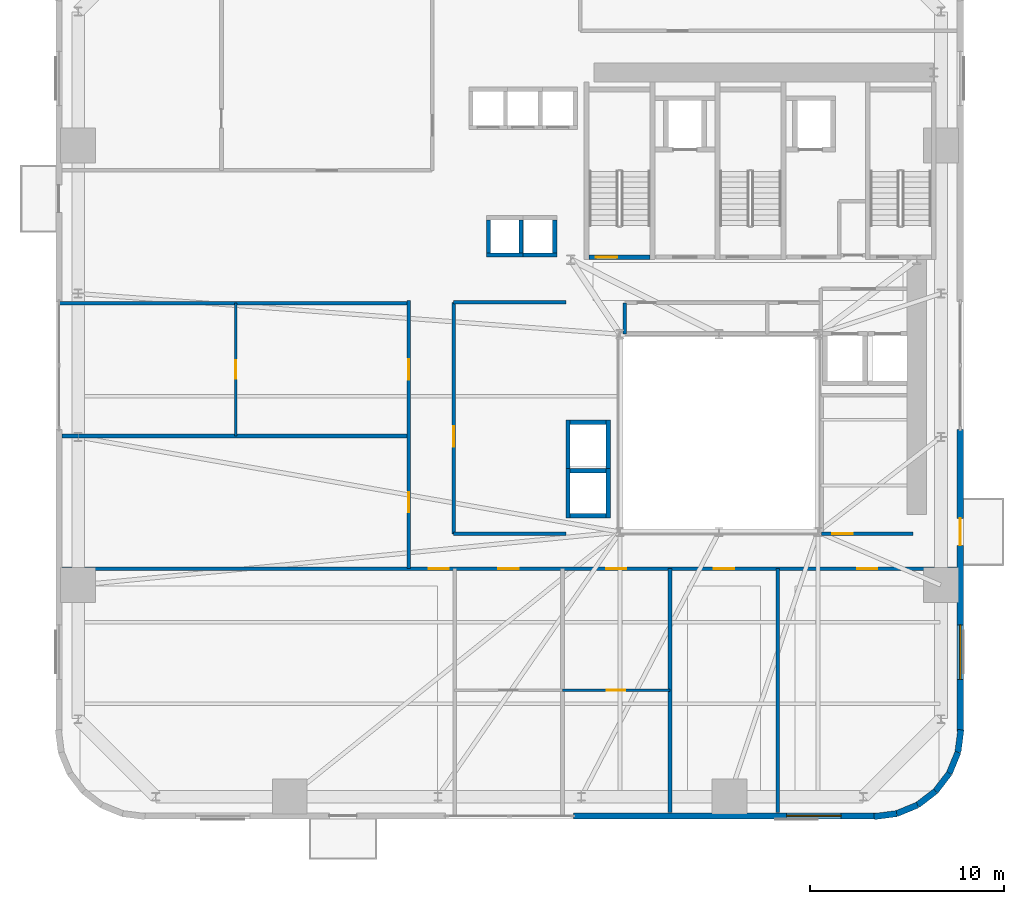
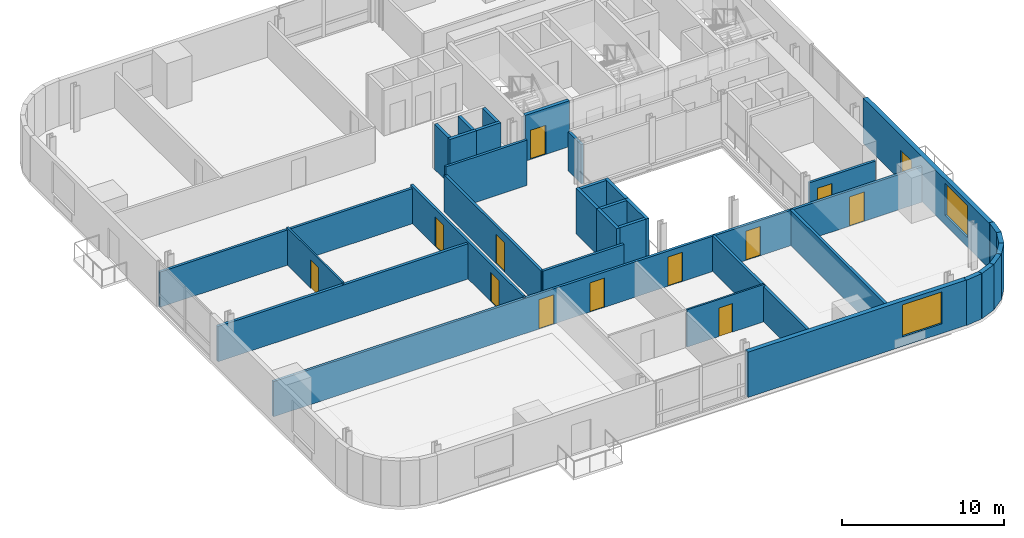
# One storey, part 6 of 13: 34 walls, 13 doors, 2 windows, 15 openings.
"""IFC4 building model written with IfcOpenShell, lengths in metres."""

from ifc_helpers import new_model, si_unit, direction, frame, frame_2d, origin, place, context, subcontext, project, spatial, rectangle, extrude, source, transform, mapped, material, layer, layer_set, type_object, element, fill, save


model = new_model("IFC4")

# Units and contexts
model_context = context("Model", 3, precision=1e-05, world=origin(), true_north=direction((0.0, 1.0)))
body_context = subcontext(model_context, "Body", "Model", "MODEL_VIEW")
ifc_project = project(units=[si_unit("LENGTHUNIT", "METRE"), si_unit("AREAUNIT", "SQUARE_METRE"), si_unit("VOLUMEUNIT", "CUBIC_METRE"), si_unit("PLANEANGLEUNIT", "RADIAN"), si_unit("MASSUNIT", "GRAM", prefix="KILO")], contexts=[model_context])

# Site, building, storey
site_placement = place(None, origin())
site = spatial("IfcSite", under=ifc_project, at=site_placement, CompositionType="ELEMENT")
building_placement = place(site_placement, origin())
building = spatial("IfcBuilding", under=site, at=building_placement, Name="Vardaveli Station Tower", CompositionType="ELEMENT")
storey_placement = place(building_placement, frame((0.0, 0.0, 71.39990234375)))
storey = spatial("IfcBuildingStorey", under=building, at=storey_placement, Name="L18", CompositionType="ELEMENT", Elevation=71.39990234375)

# Wall, opening, window
ifc_material_1 = material(Name="Precast concrete C45/55", Category="concrete")
ifc_layer_1 = layer(ifc_material_1, 0.320068359375, Name="Precast concrete C45/55")
ifc_layer_set_1 = layer_set([ifc_layer_1], Name="Precast concrete C45/55")
wall_type_1 = type_object("IfcWallType", Name="WAL-EXT-STONE-320", PredefinedType="SOLIDWALL", material=ifc_layer_set_1)
shared_shape_1 = source(origin(), body_context, "Body", "SweptSolid", [
    extrude(rectangle(XDim=15.599853515625, YDim=0.320068359375, at=frame_2d((7.7998046875, 0.0))), origin(), (0.0, 0.0, 1.0), 3.41015625),
])
wall_1_placement = place(storey_placement, frame((28.800048828125, 1.9599609375, 0.0), z_axis=(0.0, 0.0, 1.0), x_axis=(1.0, 0.0, 0.0)))
wall_1 = element("IfcWall", 1, at=wall_1_placement, inside=storey, type_object=wall_type_1, Name="EW-L18-S2", PredefinedType="SOLIDWALL", context=body_context, shape_type="MappedRepresentation", body=[
    mapped(shared_shape_1, transform((0.0, 0.0, 0.0), scale=1.0)),
])
shared_shape_2 = source(origin(), body_context, "Body", "SweptSolid", [
    extrude(rectangle(XDim=2.800048828125, YDim=2.39990234375, at=frame_2d((1.39990234375, 1.199951171875))), frame((0.0, 0.169921875, 0.0), z_axis=(0.0, -1.0, 0.0), x_axis=(1.0, 0.0, 0.0)), (0.0, 0.0, 1.0), 0.340087890625),
])
opening_1_placement = place(wall_1_placement, frame((10.9951171875, 0.0, 0.719970703125)))
opening_1 = element("IfcOpeningElement", 2, at=opening_1_placement, cuts=wall_1, Name="Opening W-04", PredefinedType="OPENING", context=body_context, shape_type="MappedRepresentation", body=[
    mapped(shared_shape_2, transform((0.0, 0.0, 0.0), scale=1.0)),
])
ifc_material_2 = material(Name="Low-E solar-control glass", Category="glass")
window_type = type_object("IfcWindowType", Name="WIN-SUITE-2800x2400", PartitioningType="SINGLE_PANEL", PredefinedType="WINDOW", material=ifc_material_2)
shared_shape_3 = source(origin(), body_context, "Body", "SweptSolid", [
    extrude(rectangle(XDim=2.800048828125, YDim=2.39990234375, at=frame_2d((1.39990234375, 1.199951171875))), frame((0.0, 0.030029296875, 0.0), z_axis=(0.0, -1.0, 0.0), x_axis=(1.0, 0.0, 0.0)), (0.0, 0.0, 1.0), 0.06005859375),
])
window_1_placement = place(opening_1_placement, origin())
window_1 = element("IfcWindow", 3, at=window_1_placement, inside=storey, type_object=window_type, Name="WN-L18-S2", OverallHeight=2.39990234375, OverallWidth=2.800048828125, PartitioningType="SINGLE_PANEL", PredefinedType="WINDOW", context=body_context, shape_type="MappedRepresentation", body=[
    mapped(shared_shape_3, transform((0.0, 0.0, 0.0), scale=1.0)),
])
fill(opening_1, window_1)

# Wall, openings, door, window
wall_2_placement = place(storey_placement, frame((48.739990234375, 6.300048828125, 0.0), z_axis=(0.0, 0.0, 1.0), x_axis=(0.0, 1.0, 0.0)))
wall_2 = element("IfcWall", 4, at=wall_2_placement, inside=storey, type_object=wall_type_1, Name="EW-L18-E1", PredefinedType="SOLIDWALL", context=body_context, shape_type="MappedRepresentation", body=[
    mapped(shared_shape_1, transform((0.0, 0.0, 0.0), scale=1.0)),
])
shared_shape_4 = source(origin(), body_context, "Body", "SweptSolid", [
    extrude(rectangle(XDim=1.39990234375, YDim=2.300048828125, at=frame_2d((0.699951171875, 1.14990234375))), frame((0.0, 0.169921875, 0.0), z_axis=(0.0, -1.0, 0.0), x_axis=(1.0, 0.0, 0.0)), (0.0, 0.0, 1.0), 0.340087890625),
])
opening_2_placement = place(wall_2_placement, frame((9.6103515625, 0.0, 0.0)))
opening_2 = element("IfcOpeningElement", 5, at=opening_2_placement, cuts=wall_2, Name="Opening D-09", PredefinedType="OPENING", context=body_context, shape_type="MappedRepresentation", body=[
    mapped(shared_shape_4, transform((0.0, 0.0, 0.0), scale=1.0)),
])
opening_3_placement = place(wall_2_placement, frame((2.705078125, 0.0, 0.719970703125)))
opening_3 = element("IfcOpeningElement", 6, at=opening_3_placement, cuts=wall_2, Name="Opening W-04", PredefinedType="OPENING", context=body_context, shape_type="MappedRepresentation", body=[
    mapped(shared_shape_2, transform((0.0, 0.0, 0.0), scale=1.0)),
])
ifc_material_3 = material(Name="Thermally broken aluminium glass", Category="aluminium")
door_type_1 = type_object("IfcDoorType", Name="DR-LOG-1400x2300", OperationType="DOUBLE_DOOR_SLIDING", PredefinedType="DOOR", material=ifc_material_3)
shared_shape_5 = source(origin(), body_context, "Body", "SweptSolid", [
    extrude(rectangle(XDim=1.39990234375, YDim=2.300048828125, at=frame_2d((0.699951171875, 1.14990234375))), frame((0.0, 0.02490234375, 0.0), z_axis=(0.0, -1.0, 0.0), x_axis=(1.0, 0.0, 0.0)), (0.0, 0.0, 1.0), 0.050048828125),
])
door_1_placement = place(opening_2_placement, frame((1.39990234375, 0.0, 0.0), z_axis=(0.0, 0.0, 1.0), x_axis=(-1.0, 0.0, 0.0)))
door_1 = element("IfcDoor", 7, at=door_1_placement, inside=storey, type_object=door_type_1, Name="DLG-L18-E", OperationType="DOUBLE_DOOR_SLIDING", OverallHeight=2.300048828125, OverallWidth=1.39990234375, PredefinedType="DOOR", context=body_context, shape_type="MappedRepresentation", body=[
    mapped(shared_shape_5, transform((0.0, 0.0, 0.0), scale=1.0)),
])
fill(opening_2, door_1)
window_2_placement = place(opening_3_placement, origin())
window_2 = element("IfcWindow", 8, at=window_2_placement, inside=storey, type_object=window_type, Name="WN-L18-E1", OverallHeight=2.39990234375, OverallWidth=2.800048828125, PartitioningType="SINGLE_PANEL", PredefinedType="WINDOW", context=body_context, shape_type="MappedRepresentation", body=[
    mapped(shared_shape_3, transform((0.0, 0.0, 0.0), scale=1.0)),
])
fill(opening_3, window_2)

# Walls
shared_shape_6 = source(origin(), body_context, "Body", "SweptSolid", [
    extrude(rectangle(XDim=1.170654296875, YDim=0.320068359375, at=frame_2d((0.58544921875, 0.0))), origin(), (0.0, 0.0, 1.0), 3.41015625),
])
wall_3_placement = place(storey_placement, frame((48.62548828125, 5.23974609375, 0.0), z_axis=(0.0, 0.0, 1.0), x_axis=(0.128269133229, 0.991739395941, 0.0)))
element("IfcWall", 9, at=wall_3_placement, inside=storey, type_object=wall_type_1, Name="EW-L18-CR2-6", PredefinedType="SOLIDWALL", context=body_context, shape_type="MappedRepresentation", body=[
    mapped(shared_shape_6, transform((0.0, 0.0, 0.0), scale=1.0)),
])
shared_shape_7 = source(origin(), body_context, "Body", "SweptSolid", [
    extrude(rectangle(XDim=1.1689453125, YDim=0.320068359375, at=frame_2d((0.58447265625, 0.0))), origin(), (0.0, 0.0, 1.0), 3.41015625),
])
for number, where, z_axis, x_axis, name in (
    (10, (47.46875, 3.231201171875, 0.0), (0.0, 0.0, 1.0), (0.608387696831, 0.793639975269, 0.0), "EW-L18-CR2-4"),
    (11, (48.179931640625, 4.158935546875, 0.0), (0.0, 0.0, 1.0), (0.381127904695, 0.924522320046, 0.0), "EW-L18-CR2-5"),
):
    element("IfcWall", number, at=place(storey_placement, frame(where, z_axis=z_axis, x_axis=x_axis)), inside=storey, type_object=wall_type_1, Name=name, PredefinedType="SOLIDWALL", context=body_context, shape_type="MappedRepresentation", body=[
        mapped(shared_shape_7, transform((0.0, 0.0, 0.0), scale=1.0)),
    ])
shared_shape_8 = source(origin(), body_context, "Body", "SweptSolid", [
    extrude(rectangle(XDim=1.168701171875, YDim=0.320068359375, at=frame_2d((0.58447265625, 0.0))), origin(), (0.0, 0.0, 1.0), 3.41015625),
])
wall_4_placement = place(storey_placement, frame((46.541259765625, 2.520263671875, 0.0), z_axis=(0.0, 0.0, 1.0), x_axis=(0.793663520347, 0.608356981114, 0.0)))
element("IfcWall", 12, at=wall_4_placement, inside=storey, type_object=wall_type_1, Name="EW-L18-CR2-3", PredefinedType="SOLIDWALL", context=body_context, shape_type="MappedRepresentation", body=[
    mapped(shared_shape_8, transform((0.0, 0.0, 0.0), scale=1.0)),
])
shared_shape_9 = source(origin(), body_context, "Body", "SweptSolid", [
    extrude(rectangle(XDim=1.16943359375, YDim=0.320068359375, at=frame_2d((0.584716796875, 0.0))), origin(), (0.0, 0.0, 1.0), 3.41015625),
])
wall_5_placement = place(storey_placement, frame((45.460205078125, 2.074462890625, 0.0), z_axis=(0.0, 0.0, 1.0), x_axis=(0.924479075121, 0.381232789334, 0.0)))
element("IfcWall", 13, at=wall_5_placement, inside=storey, type_object=wall_type_1, Name="EW-L18-CR2-2", PredefinedType="SOLIDWALL", context=body_context, shape_type="MappedRepresentation", body=[
    mapped(shared_shape_9, transform((0.0, 0.0, 0.0), scale=1.0)),
])
shared_shape_10 = source(origin(), body_context, "Body", "SweptSolid", [
    extrude(rectangle(XDim=1.170166015625, YDim=0.320068359375, at=frame_2d((0.5849609375, 0.0))), origin(), (0.0, 0.0, 1.0), 3.41015625),
])
wall_6_placement = place(storey_placement, frame((44.299560546875, 1.924560546875, 0.0), z_axis=(0.0, 0.0, 1.0), x_axis=(0.991762485493, 0.128090485085, 0.0)))
element("IfcWall", 14, at=wall_6_placement, inside=storey, type_object=wall_type_1, Name="EW-L18-CR2-1", PredefinedType="SOLIDWALL", context=body_context, shape_type="MappedRepresentation", body=[
    mapped(shared_shape_10, transform((0.0, 0.0, 0.0), scale=1.0)),
])

# Wall, opening, door
ifc_material_4 = material(Name="Concrete C40/50", Category="concrete")
ifc_layer_2 = layer(ifc_material_4, 0.25, Name="Concrete C40/50")
ifc_layer_set_2 = layer_set([ifc_layer_2], Name="Concrete C40/50")
wall_type_2 = type_object("IfcWallType", Name="WAL-SHAFT-250", PredefinedType="SOLIDWALL", material=ifc_layer_set_2)
shared_shape_11 = source(origin(), body_context, "Body", "SweptSolid", [
    extrude(rectangle(XDim=3.14990234375, YDim=0.25, at=frame_2d((1.574951171875, 0.0))), origin(), (0.0, 0.0, 1.0), 3.4501953125),
])
wall_7_placement = place(storey_placement, frame((29.60009765625, 30.77490234375, 0.0), z_axis=(0.0, 0.0, 1.0), x_axis=(1.0, 0.0, 0.0)))
wall_7 = element("IfcWall", 15, at=wall_7_placement, inside=storey, type_object=wall_type_2, Name="W-L18-ST-1S", PredefinedType="SOLIDWALL", context=body_context, shape_type="MappedRepresentation", body=[
    mapped(shared_shape_11, transform((0.0, 0.0, 0.0), scale=1.0)),
])
shared_shape_12 = source(origin(), body_context, "Body", "SweptSolid", [
    extrude(rectangle(XDim=1.10009765625, YDim=2.199951171875, at=frame_2d((0.550048828125, 1.10009765625))), frame((0.0, 0.135009765625, 0.0), z_axis=(0.0, -1.0, 0.0), x_axis=(1.0, 0.0, 0.0)), (0.0, 0.0, 1.0), 0.27001953125),
])
opening_4_placement = place(wall_7_placement, frame((0.35009765625, 0.0, 0.0)))
opening_4 = element("IfcOpeningElement", 16, at=opening_4_placement, cuts=wall_7, Name="Opening D-04", PredefinedType="OPENING", context=body_context, shape_type="MappedRepresentation", body=[
    mapped(shared_shape_12, transform((0.0, 0.0, 0.0), scale=1.0)),
])
ifc_material_5 = material(Name="Steel smokeproof fire doorset", Category="steel")
door_type_2 = type_object("IfcDoorType", Name="DR-ST-1100x2200", OperationType="NOTDEFINED", PredefinedType="DOOR", material=ifc_material_5)
shared_shape_13 = source(origin(), body_context, "Body", "SweptSolid", [
    extrude(rectangle(XDim=1.10009765625, YDim=2.199951171875, at=frame_2d((0.550048828125, 1.10009765625))), frame((0.0, 0.02490234375, 0.0), z_axis=(0.0, -1.0, 0.0), x_axis=(1.0, 0.0, 0.0)), (0.0, 0.0, 1.0), 0.050048828125),
])
door_2_placement = place(opening_4_placement, origin())
door_2 = element("IfcDoor", 17, at=door_2_placement, inside=storey, type_object=door_type_2, Name="DST-1-L18", OperationType="SINGLE_SWING_LEFT", OverallHeight=2.199951171875, OverallWidth=1.10009765625, PredefinedType="DOOR", context=body_context, shape_type="MappedRepresentation", body=[
    mapped(shared_shape_13, transform((0.0, 0.0, 0.0), scale=1.0)),
])
fill(opening_4, door_2)

# Walls
ifc_layer_3 = layer(ifc_material_4, 0.219970703125, Name="Concrete C40/50")
ifc_layer_set_3 = layer_set([ifc_layer_3], Name="Concrete C40/50")
wall_type_3 = type_object("IfcWallType", Name="WAL-FFLOBBY-220", PredefinedType="SOLIDWALL", material=ifc_layer_set_3)
shared_shape_14 = source(origin(), body_context, "Body", "SweptSolid", [
    extrude(rectangle(XDim=1.89013671875, YDim=0.219970703125, at=frame_2d((0.945068359375, 0.0))), origin(), (0.0, 0.0, 1.0), 3.41015625),
])
for number, where, z_axis, x_axis, name in (
    (18, (24.304931640625, 30.889892578125, 0.0), (0.0, 0.0, 1.0), (1.0, 0.0, 0.0), "SHW-SHU-01-L18-S"),
    (19, (26.054931640625, 30.889892578125, 0.0), (0.0, 0.0, 1.0), (1.0, 0.0, 0.0), "SHW-SHU-02-L18-S"),
):
    element("IfcWall", number, at=place(storey_placement, frame(where, z_axis=z_axis, x_axis=x_axis)), inside=storey, type_object=wall_type_3, Name=name, PredefinedType="SOLIDWALL", context=body_context, shape_type="MappedRepresentation", body=[
        mapped(shared_shape_14, transform((0.0, 0.0, 0.0), scale=1.0)),
    ])
shared_shape_15 = source(origin(), body_context, "Body", "SweptSolid", [
    extrude(rectangle(XDim=1.699951171875, YDim=0.219970703125, at=frame_2d((0.85009765625, 0.0))), origin(), (0.0, 0.0, 1.0), 3.41015625),
])
for number, where, z_axis, x_axis, name in (
    (20, (24.4150390625, 31.0, 0.0), (0.0, 0.0, 1.0), (0.0, 1.0, 0.0), "SHW-SHU-01-L18-W"),
    (21, (26.0849609375, 31.0, 0.0), (0.0, 0.0, 1.0), (0.0, 1.0, 0.0), "SHW-SHU-01-L18-E"),
    (22, (27.8349609375, 31.0, 0.0), (0.0, 0.0, 1.0), (0.0, 1.0, 0.0), "SHW-SHU-02-L18-E"),
):
    element("IfcWall", number, at=place(storey_placement, frame(where, z_axis=z_axis, x_axis=x_axis)), inside=storey, type_object=wall_type_3, Name=name, PredefinedType="SOLIDWALL", context=body_context, shape_type="MappedRepresentation", body=[
        mapped(shared_shape_15, transform((0.0, 0.0, 0.0), scale=1.0)),
    ])
shared_shape_16 = source(origin(), body_context, "Body", "SweptSolid", [
    extrude(rectangle(XDim=1.85009765625, YDim=0.219970703125, at=frame_2d((0.925048828125, 0.0))), origin(), (0.0, 0.0, 1.0), 3.41015625),
])
for number, where, z_axis, x_axis, name in (
    (23, (28.625, 17.43994140625, 0.0), (0.0, 0.0, 1.0), (1.0, 0.0, 0.0), "SHW-OBS-01-L18-S"),
    (24, (28.625, 19.760009765625, 0.0), (0.0, 0.0, 1.0), (1.0, 0.0, 0.0), "SHW-OBS-01-L18-N"),
    (25, (28.625, 22.260009765625, 0.0), (0.0, 0.0, 1.0), (1.0, 0.0, 0.0), "SHW-OBS-02-L18-N"),
):
    element("IfcWall", number, at=place(storey_placement, frame(where, z_axis=z_axis, x_axis=x_axis)), inside=storey, type_object=wall_type_3, Name=name, PredefinedType="SOLIDWALL", context=body_context, shape_type="MappedRepresentation", body=[
        mapped(shared_shape_16, transform((0.0, 0.0, 0.0), scale=1.0)),
    ])
shared_shape_17 = source(origin(), body_context, "Body", "SweptSolid", [
    extrude(rectangle(XDim=2.5400390625, YDim=0.219970703125, at=frame_2d((1.27001953125, 0.0))), origin(), (0.0, 0.0, 1.0), 3.41015625),
])
for number, where, z_axis, x_axis, name in (
    (26, (28.514892578125, 17.330078125, 0.0), (0.0, 0.0, 1.0), (0.0, 1.0, 0.0), "SHW-OBS-01-L18-W"),
    (27, (30.5849609375, 17.330078125, 0.0), (0.0, 0.0, 1.0), (0.0, 1.0, 0.0), "SHW-OBS-01-L18-E"),
    (28, (28.514892578125, 19.830078125, 0.0), (0.0, 0.0, 1.0), (0.0, 1.0, 0.0), "SHW-OBS-02-L18-W"),
    (29, (30.5849609375, 19.830078125, 0.0), (0.0, 0.0, 1.0), (0.0, 1.0, 0.0), "SHW-OBS-02-L18-E"),
):
    element("IfcWall", number, at=place(storey_placement, frame(where, z_axis=z_axis, x_axis=x_axis)), inside=storey, type_object=wall_type_3, Name=name, PredefinedType="SOLIDWALL", context=body_context, shape_type="MappedRepresentation", body=[
        mapped(shared_shape_17, transform((0.0, 0.0, 0.0), scale=1.0)),
    ])

# Wall, opening, door
ifc_material_6 = material(Name="Fire-rated gypsum stud partition")
ifc_layer_4 = layer(ifc_material_6, 0.179931640625, Name="Fire-rated gypsum stud partition")
ifc_layer_set_4 = layer_set([ifc_layer_4], Name="Fire-rated gypsum stud partition")
wall_type_4 = type_object("IfcWallType", Name="WAL-CORR-180", PredefinedType="PARTITIONING", material=ifc_layer_set_4)
shared_shape_18 = source(origin(), body_context, "Body", "SweptSolid", [
    extrude(rectangle(XDim=11.93994140625, YDim=0.179931640625, at=frame_2d((5.969970703125, 0.0))), origin(), (0.0, 0.0, 1.0), 2.802001953125),
])
wall_8_placement = place(storey_placement, frame((22.6201171875, 16.5, 0.0), z_axis=(0.0, 0.0, 1.0), x_axis=(0.0, 1.0, 0.0)))
wall_8 = element("IfcWall", 30, at=wall_8_placement, inside=storey, type_object=wall_type_4, Name="W-L18-ATW-W", PredefinedType="PARTITIONING", context=body_context, shape_type="MappedRepresentation", body=[
    mapped(shared_shape_18, transform((0.0, 0.0, 0.0), scale=1.0)),
])
shared_shape_19 = source(origin(), body_context, "Body", "SweptSolid", [
    extrude(rectangle(XDim=1.050048828125, YDim=2.199951171875, at=frame_2d((0.52490234375, 1.10009765625))), frame((0.0, 0.10009765625, 0.0), z_axis=(0.0, -1.0, 0.0), x_axis=(1.0, 0.0, 0.0)), (0.0, 0.0, 1.0), 0.199951171875),
])
opening_5_placement = place(wall_8_placement, frame((4.5, 0.0, 0.0)))
opening_5 = element("IfcOpeningElement", 31, at=opening_5_placement, cuts=wall_8, Name="Opening D-05", PredefinedType="OPENING", context=body_context, shape_type="MappedRepresentation", body=[
    mapped(shared_shape_19, transform((0.0, 0.0, 0.0), scale=1.0)),
])
ifc_material_7 = material(Name="Walnut veneer acoustic fire door")
door_type_3 = type_object("IfcDoorType", Name="DR-SUITE-1050x2200", OperationType="NOTDEFINED", PredefinedType="DOOR", material=ifc_material_7)
shared_shape_20 = source(origin(), body_context, "Body", "SweptSolid", [
    extrude(rectangle(XDim=1.050048828125, YDim=2.199951171875, at=frame_2d((0.52490234375, 1.10009765625))), frame((0.0, 0.02490234375, 0.0), z_axis=(0.0, -1.0, 0.0), x_axis=(1.0, 0.0, 0.0)), (0.0, 0.0, 1.0), 0.050048828125),
])
door_3_placement = place(opening_5_placement, origin())
door_3 = element("IfcDoor", 32, at=door_3_placement, inside=storey, type_object=door_type_3, Name="D-L18-ATW1", OperationType="SINGLE_SWING_LEFT", OverallHeight=2.199951171875, OverallWidth=1.050048828125, PredefinedType="DOOR", context=body_context, shape_type="MappedRepresentation", body=[
    mapped(shared_shape_20, transform((0.0, 0.0, 0.0), scale=1.0)),
])
fill(opening_5, door_3)

shared_shape_21 = source(origin(), body_context, "Body", "SweptSolid", [
    extrude(rectangle(XDim=4.699951171875, YDim=0.179931640625, at=frame_2d((2.35009765625, 0.0))), origin(), (0.0, 0.0, 1.0), 2.802001953125),
])
wall_9_placement = place(storey_placement, frame((41.60009765625, 16.5, 0.0), z_axis=(0.0, 0.0, 1.0), x_axis=(1.0, 0.0, 0.0)))
wall_9 = element("IfcWall", 33, at=wall_9_placement, inside=storey, type_object=wall_type_4, Name="W-L18-ATE-S", PredefinedType="PARTITIONING", context=body_context, shape_type="MappedRepresentation", body=[
    mapped(shared_shape_21, transform((0.0, 0.0, 0.0), scale=1.0)),
])
opening_6_placement = place(wall_9_placement, frame((0.550048828125, 0.0, 0.0)))
opening_6 = element("IfcOpeningElement", 34, at=opening_6_placement, cuts=wall_9, Name="Opening D-05", PredefinedType="OPENING", context=body_context, shape_type="MappedRepresentation", body=[
    mapped(shared_shape_19, transform((0.0, 0.0, 0.0), scale=1.0)),
])
door_4_placement = place(opening_6_placement, origin())
door_4 = element("IfcDoor", 35, at=door_4_placement, inside=storey, type_object=door_type_3, Name="D-L18-ATE1", OperationType="SINGLE_SWING_RIGHT", OverallHeight=2.199951171875, OverallWidth=1.050048828125, PredefinedType="DOOR", context=body_context, shape_type="MappedRepresentation", body=[
    mapped(shared_shape_20, transform((0.0, 0.0, 0.0), scale=1.0)),
])
fill(opening_6, door_4)

# Wall, openings, doors
shared_shape_22 = source(origin(), body_context, "Body", "SweptSolid", [
    extrude(rectangle(XDim=46.15576171875, YDim=0.179931640625, at=frame_2d((23.077880859375, 0.0))), origin(), (0.0, 0.0, 1.0), 2.652099609375),
])
wall_10_placement = place(storey_placement, frame((2.422119140625, 14.7099609375, 0.0), z_axis=(0.0, 0.0, 1.0), x_axis=(1.0, 0.0, 0.0)))
wall_10 = element("IfcWall", 36, at=wall_10_placement, inside=storey, type_object=wall_type_4, Name="W-L18-CS", PredefinedType="PARTITIONING", context=body_context, shape_type="MappedRepresentation", body=[
    mapped(shared_shape_22, transform((0.0, 0.0, 0.0), scale=1.0)),
])
opening_7_placement = place(wall_10_placement, frame((18.89794921875, 0.0, 0.0)))
opening_7 = element("IfcOpeningElement", 37, at=opening_7_placement, cuts=wall_10, Name="Opening D-05", PredefinedType="OPENING", context=body_context, shape_type="MappedRepresentation", body=[
    mapped(shared_shape_19, transform((0.0, 0.0, 0.0), scale=1.0)),
])
opening_8_placement = place(wall_10_placement, frame((22.504638671875, 0.0, 0.0)))
opening_8 = element("IfcOpeningElement", 38, at=opening_8_placement, cuts=wall_10, Name="Opening D-05", PredefinedType="OPENING", context=body_context, shape_type="MappedRepresentation", body=[
    mapped(shared_shape_19, transform((0.0, 0.0, 0.0), scale=1.0)),
])
opening_9_placement = place(wall_10_placement, frame((28.05810546875, 0.0, 0.0)))
opening_9 = element("IfcOpeningElement", 39, at=opening_9_placement, cuts=wall_10, Name="Opening D-05", PredefinedType="OPENING", context=body_context, shape_type="MappedRepresentation", body=[
    mapped(shared_shape_19, transform((0.0, 0.0, 0.0), scale=1.0)),
])
opening_10_placement = place(wall_10_placement, frame((33.611328125, 0.0, 0.0)))
opening_10 = element("IfcOpeningElement", 40, at=opening_10_placement, cuts=wall_10, Name="Opening D-05", PredefinedType="OPENING", context=body_context, shape_type="MappedRepresentation", body=[
    mapped(shared_shape_19, transform((0.0, 0.0, 0.0), scale=1.0)),
])
opening_11_placement = place(wall_10_placement, frame((40.998046875, 0.0, 0.0)))
opening_11 = element("IfcOpeningElement", 41, at=opening_11_placement, cuts=wall_10, Name="Opening D-05", PredefinedType="OPENING", context=body_context, shape_type="MappedRepresentation", body=[
    mapped(shared_shape_19, transform((0.0, 0.0, 0.0), scale=1.0)),
])
door_5_placement = place(opening_7_placement, origin())
door_5 = element("IfcDoor", 42, at=door_5_placement, inside=storey, type_object=door_type_3, Name="D-L18-SA1", OperationType="SINGLE_SWING_RIGHT", OverallHeight=2.199951171875, OverallWidth=1.050048828125, PredefinedType="DOOR", context=body_context, shape_type="MappedRepresentation", body=[
    mapped(shared_shape_20, transform((0.0, 0.0, 0.0), scale=1.0)),
])
fill(opening_7, door_5)
door_6_placement = place(opening_8_placement, origin())
door_6 = element("IfcDoor", 43, at=door_6_placement, inside=storey, type_object=door_type_3, Name="D-L18-SCB2", OperationType="SINGLE_SWING_LEFT", OverallHeight=2.199951171875, OverallWidth=1.050048828125, PredefinedType="DOOR", context=body_context, shape_type="MappedRepresentation", body=[
    mapped(shared_shape_20, transform((0.0, 0.0, 0.0), scale=1.0)),
])
fill(opening_8, door_6)
door_7_placement = place(opening_9_placement, origin())
door_7 = element("IfcDoor", 44, at=door_7_placement, inside=storey, type_object=door_type_3, Name="D-L18-SCB3", OperationType="SINGLE_SWING_RIGHT", OverallHeight=2.199951171875, OverallWidth=1.050048828125, PredefinedType="DOOR", context=body_context, shape_type="MappedRepresentation", body=[
    mapped(shared_shape_20, transform((0.0, 0.0, 0.0), scale=1.0)),
])
fill(opening_9, door_7)
door_8_placement = place(opening_10_placement, origin())
door_8 = element("IfcDoor", 45, at=door_8_placement, inside=storey, type_object=door_type_3, Name="D-L18-SA4", OperationType="SINGLE_SWING_LEFT", OverallHeight=2.199951171875, OverallWidth=1.050048828125, PredefinedType="DOOR", context=body_context, shape_type="MappedRepresentation", body=[
    mapped(shared_shape_20, transform((0.0, 0.0, 0.0), scale=1.0)),
])
fill(opening_10, door_8)
door_9_placement = place(opening_11_placement, origin())
door_9 = element("IfcDoor", 46, at=door_9_placement, inside=storey, type_object=door_type_3, Name="D-L18-SA5", OperationType="SINGLE_SWING_RIGHT", OverallHeight=2.199951171875, OverallWidth=1.050048828125, PredefinedType="DOOR", context=body_context, shape_type="MappedRepresentation", body=[
    mapped(shared_shape_20, transform((0.0, 0.0, 0.0), scale=1.0)),
])
fill(opening_11, door_9)

# Wall
shared_shape_23 = source(origin(), body_context, "Body", "SweptSolid", [
    extrude(rectangle(XDim=1.599853515625, YDim=0.179931640625, at=frame_2d((0.7998046875, 0.0))), origin(), (0.0, 0.0, 1.0), 2.9521484375),
])
wall_11_placement = place(storey_placement, frame((31.449951171875, 26.820068359375, 0.0), z_axis=(0.0, 0.0, 1.0), x_axis=(0.0, 1.0, 0.0)))
element("IfcWall", 47, at=wall_11_placement, inside=storey, type_object=wall_type_4, Name="W-L18-HKP0-W", PredefinedType="PARTITIONING", context=body_context, shape_type="MappedRepresentation", body=[
    mapped(shared_shape_23, transform((0.0, 0.0, 0.0), scale=1.0)),
])

# Wall, openings, doors
shared_shape_24 = source(origin(), body_context, "Body", "SweptSolid", [
    extrude(rectangle(XDim=13.840087890625, YDim=0.179931640625, at=frame_2d((6.919921875, 0.0))), origin(), (0.0, 0.0, 1.0), 2.802001953125),
])
wall_12_placement = place(storey_placement, frame((20.300048828125, 14.7099609375, 0.0), z_axis=(0.0, 0.0, 1.0), x_axis=(0.0, 1.0, 0.0)))
wall_12 = element("IfcWall", 48, at=wall_12_placement, inside=storey, type_object=wall_type_4, Name="W-L18-CW", PredefinedType="PARTITIONING", context=body_context, shape_type="MappedRepresentation", body=[
    mapped(shared_shape_24, transform((0.0, 0.0, 0.0), scale=1.0)),
])
opening_12_placement = place(wall_12_placement, frame((2.902587890625, 0.0, 0.0)))
opening_12 = element("IfcOpeningElement", 49, at=opening_12_placement, cuts=wall_12, Name="Opening D-05", PredefinedType="OPENING", context=body_context, shape_type="MappedRepresentation", body=[
    mapped(shared_shape_19, transform((0.0, 0.0, 0.0), scale=1.0)),
])
opening_13_placement = place(wall_12_placement, frame((9.74755859375, 0.0, 0.0)))
opening_13 = element("IfcOpeningElement", 50, at=opening_13_placement, cuts=wall_12, Name="Opening D-05", PredefinedType="OPENING", context=body_context, shape_type="MappedRepresentation", body=[
    mapped(shared_shape_19, transform((0.0, 0.0, 0.0), scale=1.0)),
])
door_10_placement = place(opening_12_placement, origin())
door_10 = element("IfcDoor", 51, at=door_10_placement, inside=storey, type_object=door_type_3, Name="D-L18-GW1", OperationType="SINGLE_SWING_LEFT", OverallHeight=2.199951171875, OverallWidth=1.050048828125, PredefinedType="DOOR", context=body_context, shape_type="MappedRepresentation", body=[
    mapped(shared_shape_20, transform((0.0, 0.0, 0.0), scale=1.0)),
])
fill(opening_12, door_10)
door_11_placement = place(opening_13_placement, origin())
door_11 = element("IfcDoor", 52, at=door_11_placement, inside=storey, type_object=door_type_3, Name="D-L18-GW2", OperationType="SINGLE_SWING_RIGHT", OverallHeight=2.199951171875, OverallWidth=1.050048828125, PredefinedType="DOOR", context=body_context, shape_type="MappedRepresentation", body=[
    mapped(shared_shape_20, transform((0.0, 0.0, 0.0), scale=1.0)),
])
fill(opening_13, door_11)

# Walls
ifc_material_8 = material(Name="Acoustic twin-stud gypsum partition")
ifc_layer_5 = layer(ifc_material_8, 0.199951171875, Name="Acoustic twin-stud gypsum partition")
ifc_layer_set_5 = layer_set([ifc_layer_5], Name="Acoustic twin-stud gypsum partition")
wall_type_5 = type_object("IfcWallType", Name="WAL-PARTY-200", PredefinedType="PARTITIONING", material=ifc_layer_set_5)
shared_shape_25 = source(origin(), body_context, "Body", "SweptSolid", [
    extrude(rectangle(XDim=12.587890625, YDim=0.199951171875, at=frame_2d((6.2939453125, 0.0))), origin(), (0.0, 0.0, 1.0), 2.652099609375),
])
for number, where, z_axis, x_axis, name in (
    (53, (33.777099609375, 2.1220703125, 0.0), (0.0, 0.0, 1.0), (0.0, 1.0, 0.0), "W-L18-PS3"),
    (54, (39.330078125, 2.1220703125, 0.0), (0.0, 0.0, 1.0), (0.0, 1.0, 0.0), "W-L18-PS4"),
):
    element("IfcWall", number, at=place(storey_placement, frame(where, z_axis=z_axis, x_axis=x_axis)), inside=storey, type_object=wall_type_5, Name=name, PredefinedType="PARTITIONING", context=body_context, shape_type="MappedRepresentation", body=[
        mapped(shared_shape_25, transform((0.0, 0.0, 0.0), scale=1.0)),
    ])

# Wall, opening, door
ifc_material_9 = material(Name="Gypsum board stud partition")
ifc_layer_6 = layer(ifc_material_9, 0.125, Name="Gypsum board stud partition")
ifc_layer_set_6 = layer_set([ifc_layer_6], Name="Gypsum board stud partition")
wall_type_6 = type_object("IfcWallType", Name="WAL-INT-125", PredefinedType="PARTITIONING", material=ifc_layer_set_6)
shared_shape_26 = source(origin(), body_context, "Body", "SweptSolid", [
    extrude(rectangle(XDim=6.844970703125, YDim=0.125, at=frame_2d((3.42236328125, 0.0))), origin(), (0.0, 0.0, 1.0), 2.802001953125),
])
wall_13_placement = place(storey_placement, frame((11.375, 21.554931640625, 0.0), z_axis=(0.0, 0.0, 1.0), x_axis=(0.0, 1.0, 0.0)))
wall_13 = element("IfcWall", 55, at=wall_13_placement, inside=storey, type_object=wall_type_6, Name="W-L18-WCM2", PredefinedType="PARTITIONING", context=body_context, shape_type="MappedRepresentation", body=[
    mapped(shared_shape_26, transform((0.0, 0.0, 0.0), scale=1.0)),
])
shared_shape_27 = source(origin(), body_context, "Body", "SweptSolid", [
    extrude(rectangle(XDim=0.949951171875, YDim=2.14990234375, at=frame_2d((0.47509765625, 1.074951171875))), frame((0.0, 0.072509765625, 0.0), z_axis=(0.0, -1.0, 0.0), x_axis=(1.0, 0.0, 0.0)), (0.0, 0.0, 1.0), 0.14501953125),
])
opening_14_placement = place(wall_13_placement, frame((2.9423828125, 0.0, 0.0)))
opening_14 = element("IfcOpeningElement", 56, at=opening_14_placement, cuts=wall_13, Name="Opening D-11", PredefinedType="OPENING", context=body_context, shape_type="MappedRepresentation", body=[
    mapped(shared_shape_27, transform((0.0, 0.0, 0.0), scale=1.0)),
])
ifc_material_10 = material(Name="Oak veneer internal suite door")
door_type_4 = type_object("IfcDoorType", Name="DR-INT-950x2150", OperationType="NOTDEFINED", PredefinedType="DOOR", material=ifc_material_10)
shared_shape_28 = source(origin(), body_context, "Body", "SweptSolid", [
    extrude(rectangle(XDim=0.949951171875, YDim=2.14990234375, at=frame_2d((0.47509765625, 1.074951171875))), frame((0.0, 0.02490234375, 0.0), z_axis=(0.0, -1.0, 0.0), x_axis=(1.0, 0.0, 0.0)), (0.0, 0.0, 1.0), 0.050048828125),
])
door_12_placement = place(opening_14_placement, origin())
door_12 = element("IfcDoor", 57, at=door_12_placement, inside=storey, type_object=door_type_4, Name="D-L18-GWF2", OperationType="SINGLE_SWING_LEFT", OverallHeight=2.14990234375, OverallWidth=0.949951171875, PredefinedType="DOOR", context=body_context, shape_type="MappedRepresentation", body=[
    mapped(shared_shape_28, transform((0.0, 0.0, 0.0), scale=1.0)),
])
fill(opening_14, door_12)

# Walls
shared_shape_29 = source(origin(), body_context, "Body", "SweptSolid", [
    extrude(rectangle(XDim=17.977783203125, YDim=0.199951171875, at=frame_2d((8.98876953125, 0.0))), origin(), (0.0, 0.0, 1.0), 2.652099609375),
])
wall_14_placement = place(storey_placement, frame((2.422119140625, 21.554931640625, 0.0), z_axis=(0.0, 0.0, 1.0), x_axis=(1.0, 0.0, 0.0)))
element("IfcWall", 58, at=wall_14_placement, inside=storey, type_object=wall_type_5, Name="W-L18-PW1", PredefinedType="PARTITIONING", context=body_context, shape_type="MappedRepresentation", body=[
    mapped(shared_shape_29, transform((0.0, 0.0, 0.0), scale=1.0)),
])
shared_shape_30 = source(origin(), body_context, "Body", "SweptSolid", [
    extrude(rectangle(XDim=18.070068359375, YDim=0.179931640625, at=frame_2d((9.03515625, 0.0))), origin(), (0.0, 0.0, 1.0), 2.652099609375),
])
wall_15_placement = place(storey_placement, frame((2.22998046875, 28.39990234375, 0.0), z_axis=(0.0, 0.0, 1.0), x_axis=(1.0, 0.0, 0.0)))
element("IfcWall", 59, at=wall_15_placement, inside=storey, type_object=wall_type_4, Name="W-L18-CWN", PredefinedType="PARTITIONING", context=body_context, shape_type="MappedRepresentation", body=[
    mapped(shared_shape_30, transform((0.0, 0.0, 0.0), scale=1.0)),
])
shared_shape_31 = source(origin(), body_context, "Body", "SweptSolid", [
    extrude(rectangle(XDim=5.77978515625, YDim=0.179931640625, at=frame_2d((2.889892578125, 0.0))), origin(), (0.0, 0.0, 1.0), 2.802001953125),
])
wall_16_placement = place(storey_placement, frame((22.6201171875, 16.5, 0.0), z_axis=(0.0, 0.0, 1.0), x_axis=(1.0, 0.0, 0.0)))
element("IfcWall", 60, at=wall_16_placement, inside=storey, type_object=wall_type_4, Name="W-L18-ATW-S", PredefinedType="PARTITIONING", context=body_context, shape_type="MappedRepresentation", body=[
    mapped(shared_shape_31, transform((0.0, 0.0, 0.0), scale=1.0)),
])

# Wall, opening, door
shared_shape_32 = source(origin(), body_context, "Body", "SweptSolid", [
    extrude(rectangle(XDim=5.55419921875, YDim=0.125, at=frame_2d((2.777099609375, 0.0))), origin(), (0.0, 0.0, 1.0), 2.802001953125),
])
wall_17_placement = place(storey_placement, frame((28.222900390625, 8.429931640625, 0.0), z_axis=(0.0, 0.0, 1.0), x_axis=(1.0, 0.0, 0.0)))
wall_17 = element("IfcWall", 61, at=wall_17_placement, inside=storey, type_object=wall_type_6, Name="W-L18-SCM3", PredefinedType="PARTITIONING", context=body_context, shape_type="MappedRepresentation", body=[
    mapped(shared_shape_32, transform((0.0, 0.0, 0.0), scale=1.0)),
])
opening_15_placement = place(wall_17_placement, frame((2.296630859375, 0.0, 0.0)))
opening_15 = element("IfcOpeningElement", 62, at=opening_15_placement, cuts=wall_17, Name="Opening D-11", PredefinedType="OPENING", context=body_context, shape_type="MappedRepresentation", body=[
    mapped(shared_shape_27, transform((0.0, 0.0, 0.0), scale=1.0)),
])
door_13_placement = place(opening_15_placement, origin())
door_13 = element("IfcDoor", 63, at=door_13_placement, inside=storey, type_object=door_type_4, Name="D-L18-SCF3", OperationType="SINGLE_SWING_RIGHT", OverallHeight=2.14990234375, OverallWidth=0.949951171875, PredefinedType="DOOR", context=body_context, shape_type="MappedRepresentation", body=[
    mapped(shared_shape_28, transform((0.0, 0.0, 0.0), scale=1.0)),
])
fill(opening_15, door_13)

# Wall
shared_shape_33 = source(origin(), body_context, "Body", "SweptSolid", [
    extrude(rectangle(XDim=5.77978515625, YDim=0.179931640625, at=frame_2d((2.889892578125, 0.0))), origin(), (0.0, 0.0, 1.0), 3.41015625),
])
wall_18_placement = place(storey_placement, frame((22.6201171875, 28.43994140625, 0.0), z_axis=(0.0, 0.0, 1.0), x_axis=(1.0, 0.0, 0.0)))
element("IfcWall", 64, at=wall_18_placement, inside=storey, type_object=wall_type_4, Name="W-L18-ATW-N", PredefinedType="PARTITIONING", context=body_context, shape_type="MappedRepresentation", body=[
    mapped(shared_shape_33, transform((0.0, 0.0, 0.0), scale=1.0)),
])

save(model, "model.ifc")
